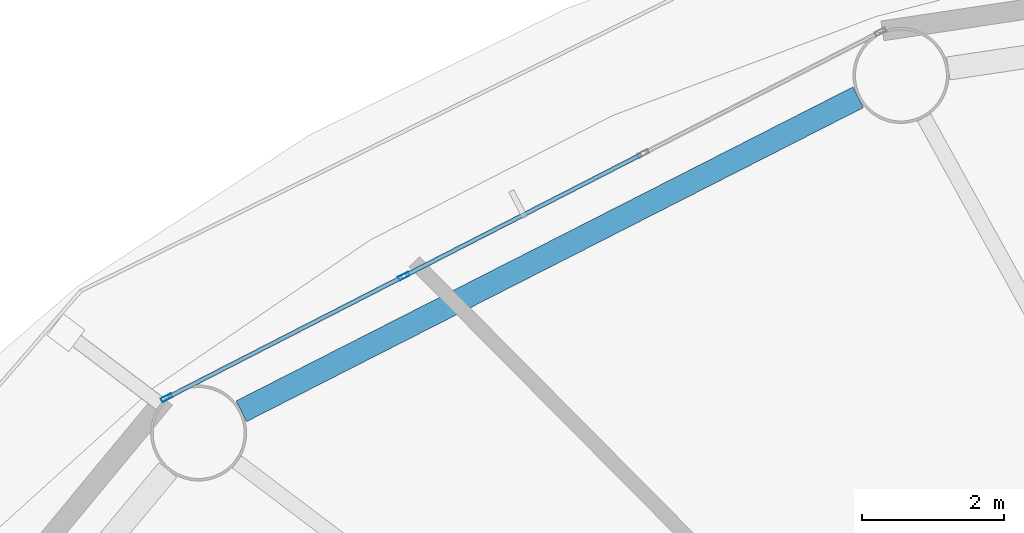
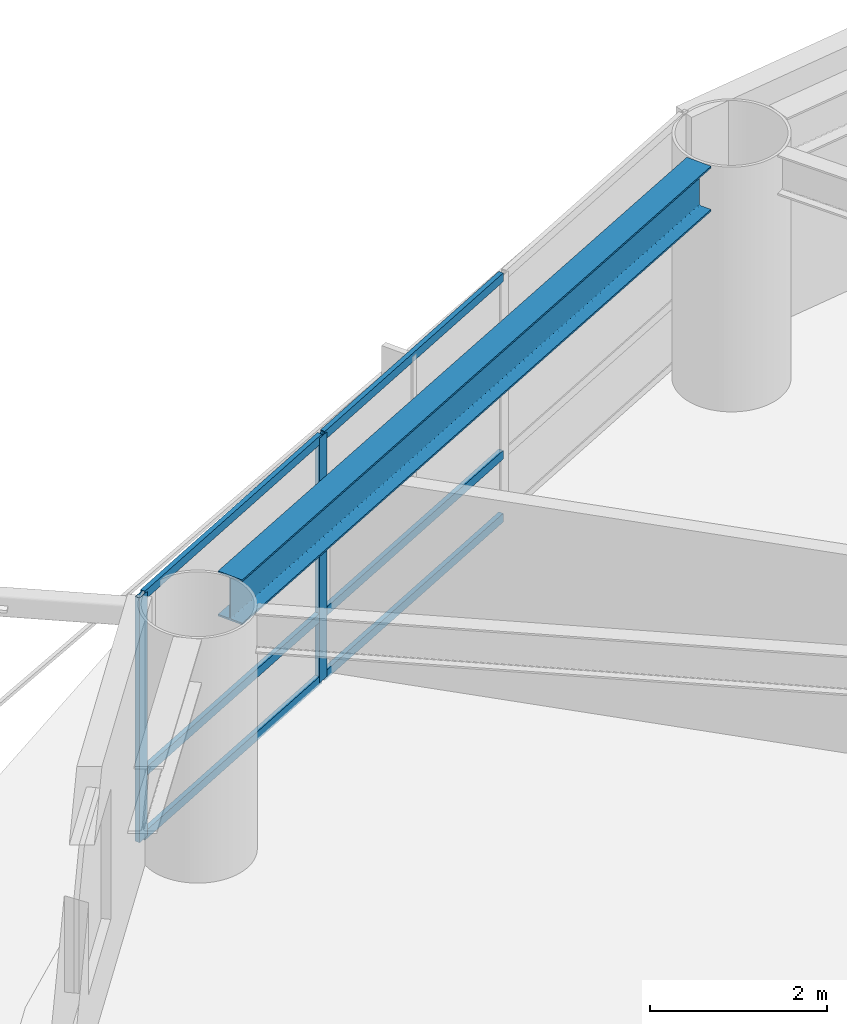
# One storey, part 10 of 26: 8 members, 1 beam, 1 element without a shape of its own.
"""IFC4 building model written with IfcOpenShell, lengths in metres."""

from ifc_helpers import new_model, si_unit, direction, frame, origin, origin_2d, place, context, subcontext, project, spatial, hollow_rectangle, i_section, extrude, material, layer, layer_set, material_profile, profile_set, type_object, element, aggregate, save


model = new_model("IFC4")

# Units and contexts
model_context = context("Model", 3, precision=1e-05, world=origin(), true_north=direction((0.0, 1.0)))
body_context = subcontext(model_context, "Body", "Model", "MODEL_VIEW")
ifc_project = project(units=[si_unit("LENGTHUNIT", "METRE"), si_unit("AREAUNIT", "SQUARE_METRE"), si_unit("VOLUMEUNIT", "CUBIC_METRE"), si_unit("PLANEANGLEUNIT", "RADIAN"), si_unit("MASSUNIT", "GRAM", prefix="KILO")], contexts=[model_context])

# Site, building, storey
site_placement = place(None, origin())
site = spatial("IfcSite", under=ifc_project, at=site_placement, CompositionType="ELEMENT")
building_placement = place(site_placement, origin())
building = spatial("IfcBuilding", under=site, at=building_placement, Name="Sarneth Arch Tower", CompositionType="ELEMENT")
storey_placement = place(building_placement, frame((0.0, 0.0, 57.0)))
storey = spatial("IfcBuildingStorey", under=building, at=storey_placement, Name="L13", CompositionType="ELEMENT", Elevation=57.0)

# Beam
ifc_material_1 = material(Name="Steel S355", Category="steel")
ifc_material_profile_1 = material_profile(ifc_material_1, i_section(OverallWidth=0.326904296875, OverallDepth=0.6220703125, WebThickness=0.015380859375, FlangeThickness=0.0244140625, FilletRadius=0.01904296875, at=origin_2d()), Name="W610x195")
ifc_profile_set_1 = profile_set([ifc_material_profile_1], Name="Steel S355")
beam_type = type_object("IfcBeamType", Name="BM-SPAN-610A", PredefinedType="SPANDREL", material=ifc_profile_set_1)
beam_placement = place(storey_placement, frame((35.58056640625, 63.127685546875, 3.069091796875), z_axis=(-0.8911738076, -0.453662037919, 0.0), x_axis=(0.453662037919, -0.8911738076, 0.0)))
element("IfcBeam", 1, at=beam_placement, inside=storey, type_object=beam_type, Name="L13 Perimeter spandrel beam 06", PredefinedType="SPANDREL", context=body_context, shape_type="SweptSolid", body=[
    extrude(i_section(OverallWidth=0.326904296875, OverallDepth=0.6220703125, WebThickness=0.015380859375, FlangeThickness=0.0244140625, FilletRadius=0.01904296875, at=origin_2d()), origin(), (0.0, 0.0, 1.0), 9.735107421875),
])

# Curtain wall, members
ifc_material_2 = material(Name="Anodised aluminium Type AA25 and solar-control low-e laminated IGU", Category="aluminium")
ifc_layer = layer(ifc_material_2, 0.159912109375)
ifc_layer_set = layer_set([ifc_layer], Name="Anodised aluminium Type AA25 and solar-control low-e laminated IGU")
curtain_wall_type = type_object("IfcCurtainWallType", Name="CW-HOTEL-LOW", PredefinedType="NOTDEFINED", material=ifc_layer_set)
curtain_wall_placement = place(storey_placement, origin())
curtain_wall = element("IfcCurtainWall", 2, at=curtain_wall_placement, inside=storey, type_object=curtain_wall_type, Name="L13 Unitised curtain wall facet 06", PredefinedType="NOTDEFINED")
ifc_material_3 = material(Name="Anodised Aluminium 6063-T6", Category="aluminium")
ifc_material_profile_2 = material_profile(ifc_material_3, hollow_rectangle(XDim=0.06005859375, YDim=0.159912109375, WallThickness=0.00390625, at=origin_2d()), Name="AL-MULL-160x60x4")
ifc_profile_set_2 = profile_set([ifc_material_profile_2], Name="Anodised Aluminium 6063-T6")
member_type_1 = type_object("IfcMemberType", Name="CW-MULLION", PredefinedType="MULLION", material=ifc_profile_set_2)
member_1_placement = place(storey_placement, frame((29.19140625, 60.611328125, 0.0), z_axis=(0.0, 0.0, 1.0), x_axis=(0.456245197127, -0.889854100456, 0.0)))
member_1 = element("IfcMember", 3, at=member_1_placement, type_object=member_type_1, Name="CW-SYS-3 mullion 3", PredefinedType="MULLION", context=body_context, shape_type="SweptSolid", body=[
    extrude(hollow_rectangle(XDim=0.06005859375, YDim=0.159912109375, WallThickness=0.00390625, at=origin_2d()), origin(), (0.0, 0.0, 1.0), 3.3798828125),
])
member_2_placement = place(storey_placement, frame((25.8525390625, 58.8994140625, 0.0), z_axis=(0.0, 0.0, 1.0), x_axis=(0.456245197127, -0.889854100456, 0.0)))
member_2 = element("IfcMember", 4, at=member_2_placement, type_object=member_type_1, Name="CW-SYS-3 mullion 4", PredefinedType="MULLION", context=body_context, shape_type="SweptSolid", body=[
    extrude(hollow_rectangle(XDim=0.06005859375, YDim=0.159912109375, WallThickness=0.00390625, at=origin_2d()), origin(), (0.0, 0.0, 1.0), 3.3798828125),
])
ifc_material_4 = material(Name="Anodised Aluminium 6063-T6", Category="aluminium")
ifc_material_profile_3 = material_profile(ifc_material_4, hollow_rectangle(XDim=0.06005859375, YDim=0.1201171875, WallThickness=0.00390625, at=origin_2d()), Name="AL-TRAN-120x60x4")
ifc_profile_set_3 = profile_set([ifc_material_profile_3], Name="Anodised Aluminium 6063-T6")
member_type_2 = type_object("IfcMemberType", Name="CW-TRANSOM", PredefinedType="USERDEFINED", material=ifc_profile_set_3)
member_3_placement = place(storey_placement, frame((32.530029296875, 62.322998046875, 0.030029296875), z_axis=(-0.889868677022, -0.456216766083, 0.0), x_axis=(0.456216766083, -0.889868677022, 0.0)))
member_3 = element("IfcMember", 5, at=member_3_placement, type_object=member_type_2, Name="CW-SYS-3 transom 2.1", ObjectType="TRANSOM", PredefinedType="USERDEFINED", context=body_context, shape_type="SweptSolid", body=[
    extrude(hollow_rectangle(XDim=0.06005859375, YDim=0.1201171875, WallThickness=0.00390625, at=origin_2d()), origin(), (0.0, 0.0, 1.0), 3.721923828125),
])
member_4_placement = place(storey_placement, frame((32.530029296875, 62.322998046875, 0.89990234375), z_axis=(-0.889868677022, -0.456216766083, 0.0), x_axis=(0.456216766083, -0.889868677022, 0.0)))
member_4 = element("IfcMember", 6, at=member_4_placement, type_object=member_type_2, Name="CW-SYS-3 transom 2.2", ObjectType="TRANSOM", PredefinedType="USERDEFINED", context=body_context, shape_type="SweptSolid", body=[
    extrude(hollow_rectangle(XDim=0.06005859375, YDim=0.1201171875, WallThickness=0.00390625, at=origin_2d()), origin(), (0.0, 0.0, 1.0), 3.721923828125),
])
member_5_placement = place(storey_placement, frame((32.530029296875, 62.322998046875, 3.35009765625), z_axis=(-0.889868677022, -0.456216766083, 0.0), x_axis=(0.456216766083, -0.889868677022, 0.0)))
member_5 = element("IfcMember", 7, at=member_5_placement, type_object=member_type_2, Name="CW-SYS-3 transom 2.3", ObjectType="TRANSOM", PredefinedType="USERDEFINED", context=body_context, shape_type="SweptSolid", body=[
    extrude(hollow_rectangle(XDim=0.06005859375, YDim=0.1201171875, WallThickness=0.00390625, at=origin_2d()), origin(), (0.0, 0.0, 1.0), 3.721923828125),
])
member_6_placement = place(storey_placement, frame((29.16455078125, 60.597412109375, 0.030029296875), z_axis=(-0.889871845224, -0.456210586327, 0.0), x_axis=(0.456210586327, -0.889871845224, 0.0)))
member_6 = element("IfcMember", 8, at=member_6_placement, type_object=member_type_2, Name="CW-SYS-3 transom 3.1", ObjectType="TRANSOM", PredefinedType="USERDEFINED", context=body_context, shape_type="SweptSolid", body=[
    extrude(hollow_rectangle(XDim=0.06005859375, YDim=0.1201171875, WallThickness=0.00390625, at=origin_2d()), origin(), (0.0, 0.0, 1.0), 3.69189453125),
])
member_7_placement = place(storey_placement, frame((29.16455078125, 60.597412109375, 0.89990234375), z_axis=(-0.889871845224, -0.456210586327, 0.0), x_axis=(0.456210586327, -0.889871845224, 0.0)))
member_7 = element("IfcMember", 9, at=member_7_placement, type_object=member_type_2, Name="CW-SYS-3 transom 3.2", ObjectType="TRANSOM", PredefinedType="USERDEFINED", context=body_context, shape_type="SweptSolid", body=[
    extrude(hollow_rectangle(XDim=0.06005859375, YDim=0.1201171875, WallThickness=0.00390625, at=origin_2d()), origin(), (0.0, 0.0, 1.0), 3.69189453125),
])
member_8_placement = place(storey_placement, frame((29.16455078125, 60.597412109375, 3.35009765625), z_axis=(-0.889871845224, -0.456210586327, 0.0), x_axis=(0.456210586327, -0.889871845224, 0.0)))
member_8 = element("IfcMember", 10, at=member_8_placement, type_object=member_type_2, Name="CW-SYS-3 transom 3.3", ObjectType="TRANSOM", PredefinedType="USERDEFINED", context=body_context, shape_type="SweptSolid", body=[
    extrude(hollow_rectangle(XDim=0.06005859375, YDim=0.1201171875, WallThickness=0.00390625, at=origin_2d()), origin(), (0.0, 0.0, 1.0), 3.69189453125),
])
aggregate(curtain_wall, [member_1, member_2, member_3, member_4, member_5, member_6, member_7, member_8])

save(model, "model.ifc")
